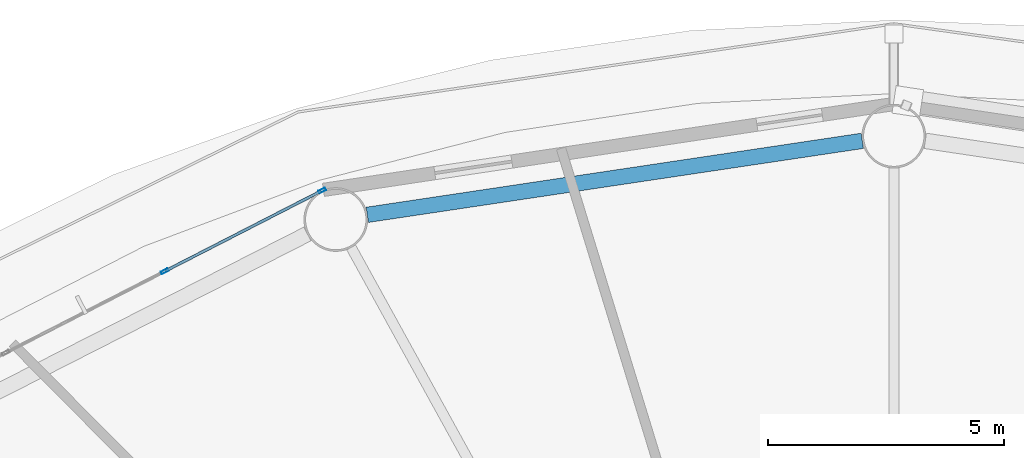
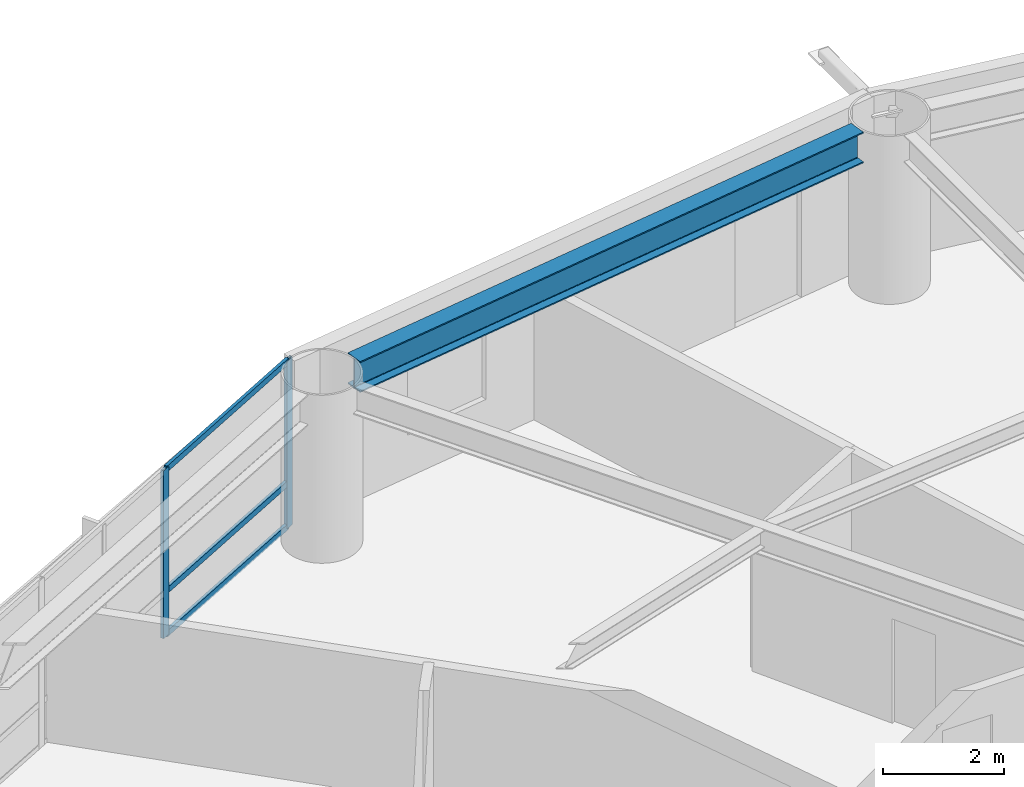
# One storey, part 12 of 26: 5 members, 1 beam, 1 element without a shape of its own.
"""IFC4 building model written with IfcOpenShell, lengths in metres."""

from ifc_helpers import new_model, si_unit, direction, frame, origin, origin_2d, place, context, subcontext, project, spatial, hollow_rectangle, i_section, extrude, material, layer, layer_set, material_profile, profile_set, type_object, element, aggregate, save


model = new_model("IFC4")

# Units and contexts
model_context = context("Model", 3, precision=1e-05, world=origin(), true_north=direction((0.0, 1.0)))
body_context = subcontext(model_context, "Body", "Model", "MODEL_VIEW")
ifc_project = project(units=[si_unit("LENGTHUNIT", "METRE"), si_unit("AREAUNIT", "SQUARE_METRE"), si_unit("VOLUMEUNIT", "CUBIC_METRE"), si_unit("PLANEANGLEUNIT", "RADIAN"), si_unit("MASSUNIT", "GRAM", prefix="KILO")], contexts=[model_context])

# Site, building, storey
site_placement = place(None, origin())
site = spatial("IfcSite", under=ifc_project, at=site_placement, CompositionType="ELEMENT")
building_placement = place(site_placement, origin())
building = spatial("IfcBuilding", under=site, at=building_placement, Name="Sarneth Arch Tower", CompositionType="ELEMENT")
storey_placement = place(building_placement, frame((0.0, 0.0, 53.39990234375)))
storey = spatial("IfcBuildingStorey", under=building, at=storey_placement, Name="L12", CompositionType="ELEMENT", Elevation=53.39990234375)

# Beam
ifc_material_1 = material(Name="Steel S355", Category="steel")
ifc_material_profile_1 = material_profile(ifc_material_1, i_section(OverallWidth=0.326904296875, OverallDepth=0.6220703125, WebThickness=0.015380859375, FlangeThickness=0.0244140625, FilletRadius=0.01904296875, at=origin_2d()), Name="W610x195")
ifc_profile_set_1 = profile_set([ifc_material_profile_1], Name="Steel S355")
beam_type = type_object("IfcBeamType", Name="BM-SPAN-610A", PredefinedType="SPANDREL", material=ifc_profile_set_1)
beam_placement = place(storey_placement, frame((47.33251953125, 65.100341796875, 3.069091796875), z_axis=(-0.989015788086, -0.147809914809, 0.0), x_axis=(0.147809914809, -0.989015788086, 0.0)))
element("IfcBeam", 1, at=beam_placement, inside=storey, type_object=beam_type, Name="L12 Perimeter spandrel beam 05", PredefinedType="SPANDREL", context=body_context, shape_type="SweptSolid", body=[
    extrude(i_section(OverallWidth=0.326904296875, OverallDepth=0.6220703125, WebThickness=0.015380859375, FlangeThickness=0.0244140625, FilletRadius=0.01904296875, at=origin_2d()), origin(), (0.0, 0.0, 1.0), 10.59912109375),
])

# Curtain wall, members
ifc_material_2 = material(Name="Anodised aluminium Type AA25 and solar-control low-e laminated IGU", Category="aluminium")
ifc_layer = layer(ifc_material_2, 0.159912109375)
ifc_layer_set = layer_set([ifc_layer], Name="Anodised aluminium Type AA25 and solar-control low-e laminated IGU")
curtain_wall_type = type_object("IfcCurtainWallType", Name="CW-HOTEL-LOW", PredefinedType="NOTDEFINED", material=ifc_layer_set)
curtain_wall_placement = place(storey_placement, origin())
curtain_wall = element("IfcCurtainWall", 2, at=curtain_wall_placement, inside=storey, type_object=curtain_wall_type, Name="L12 Unitised curtain wall facet 06", PredefinedType="NOTDEFINED")
ifc_material_3 = material(Name="Anodised Aluminium 6063-T6", Category="aluminium")
ifc_material_profile_2 = material_profile(ifc_material_3, hollow_rectangle(XDim=0.06005859375, YDim=0.159912109375, WallThickness=0.00390625, at=origin_2d()), Name="AL-MULL-160x60x4")
ifc_profile_set_2 = profile_set([ifc_material_profile_2], Name="Anodised Aluminium 6063-T6")
member_type_1 = type_object("IfcMemberType", Name="CW-MULLION", PredefinedType="MULLION", material=ifc_profile_set_2)
member_1_placement = place(storey_placement, frame((35.8955078125, 64.048583984375, 0.0), z_axis=(0.0, 0.0, 1.0), x_axis=(0.456245197127, -0.889854100456, 0.0)))
member_1 = element("IfcMember", 3, at=member_1_placement, type_object=member_type_1, Name="CW-SYS-3 mullion 1", PredefinedType="MULLION", context=body_context, shape_type="SweptSolid", body=[
    extrude(hollow_rectangle(XDim=0.06005859375, YDim=0.159912109375, WallThickness=0.00390625, at=origin_2d()), origin(), (0.0, 0.0, 1.0), 3.380126953125),
])
member_2_placement = place(storey_placement, frame((32.556640625, 62.336669921875, 0.0), z_axis=(0.0, 0.0, 1.0), x_axis=(0.456245197127, -0.889854100456, 0.0)))
member_2 = element("IfcMember", 4, at=member_2_placement, type_object=member_type_1, Name="CW-SYS-3 mullion 2", PredefinedType="MULLION", context=body_context, shape_type="SweptSolid", body=[
    extrude(hollow_rectangle(XDim=0.06005859375, YDim=0.159912109375, WallThickness=0.00390625, at=origin_2d()), origin(), (0.0, 0.0, 1.0), 3.380126953125),
])
ifc_material_4 = material(Name="Anodised Aluminium 6063-T6", Category="aluminium")
ifc_material_profile_3 = material_profile(ifc_material_4, hollow_rectangle(XDim=0.06005859375, YDim=0.1201171875, WallThickness=0.00390625, at=origin_2d()), Name="AL-TRAN-120x60x4")
ifc_profile_set_3 = profile_set([ifc_material_profile_3], Name="Anodised Aluminium 6063-T6")
member_type_2 = type_object("IfcMemberType", Name="CW-TRANSOM", PredefinedType="USERDEFINED", material=ifc_profile_set_3)
member_3_placement = place(storey_placement, frame((35.86865234375, 64.034912109375, 0.030029296875), z_axis=(-0.889831232102, -0.456289796485, 0.0), x_axis=(0.456289796485, -0.889831232102, 0.0)))
member_3 = element("IfcMember", 5, at=member_3_placement, type_object=member_type_2, Name="CW-SYS-3 transom 1.1", ObjectType="TRANSOM", PredefinedType="USERDEFINED", context=body_context, shape_type="SweptSolid", body=[
    extrude(hollow_rectangle(XDim=0.06005859375, YDim=0.1201171875, WallThickness=0.00390625, at=origin_2d()), origin(), (0.0, 0.0, 1.0), 3.69189453125),
])
member_4_placement = place(storey_placement, frame((35.86865234375, 64.034912109375, 0.900146484375), z_axis=(-0.889831232102, -0.456289796485, 0.0), x_axis=(0.456289796485, -0.889831232102, 0.0)))
member_4 = element("IfcMember", 6, at=member_4_placement, type_object=member_type_2, Name="CW-SYS-3 transom 1.2", ObjectType="TRANSOM", PredefinedType="USERDEFINED", context=body_context, shape_type="SweptSolid", body=[
    extrude(hollow_rectangle(XDim=0.06005859375, YDim=0.1201171875, WallThickness=0.00390625, at=origin_2d()), origin(), (0.0, 0.0, 1.0), 3.69189453125),
])
member_5_placement = place(storey_placement, frame((35.86865234375, 64.034912109375, 3.35009765625), z_axis=(-0.889831232102, -0.456289796485, 0.0), x_axis=(0.456289796485, -0.889831232102, 0.0)))
member_5 = element("IfcMember", 7, at=member_5_placement, type_object=member_type_2, Name="CW-SYS-3 transom 1.3", ObjectType="TRANSOM", PredefinedType="USERDEFINED", context=body_context, shape_type="SweptSolid", body=[
    extrude(hollow_rectangle(XDim=0.06005859375, YDim=0.1201171875, WallThickness=0.00390625, at=origin_2d()), origin(), (0.0, 0.0, 1.0), 3.69189453125),
])
aggregate(curtain_wall, [member_1, member_2, member_3, member_4, member_5])

save(model, "model.ifc")
